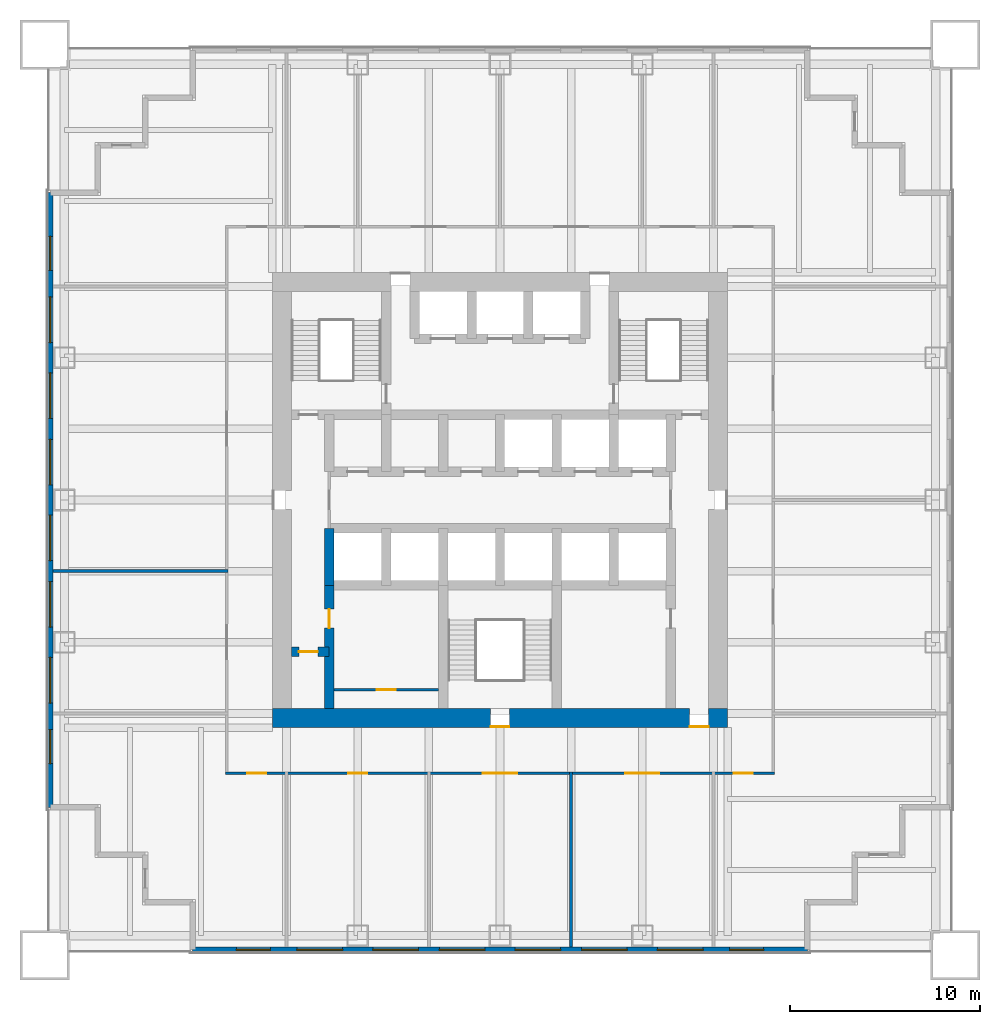
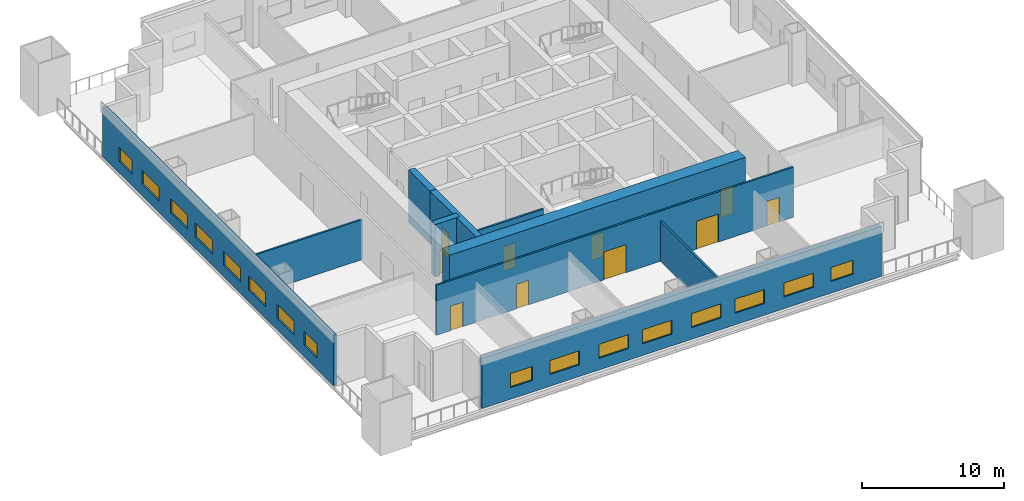
# One storey, part 2 of 6: 16 windows, 10 doors, 10 walls, 26 openings.
"""IFC4 building model written with IfcOpenShell, lengths in metres."""

from ifc_helpers import new_model, si_unit, direction, frame, frame_2d, origin, place, context, subcontext, project, spatial, rectangle, extrude, material, layer, layer_set, type_object, element, fill, save


model = new_model("IFC4")

# Units and contexts
model_context = context("Model", 3, precision=1e-05, world=origin(), true_north=direction((0.0, 1.0)))
body_context = subcontext(model_context, "Body", "Model", "MODEL_VIEW")
ifc_project = project(units=[si_unit("LENGTHUNIT", "METRE"), si_unit("AREAUNIT", "SQUARE_METRE"), si_unit("VOLUMEUNIT", "CUBIC_METRE"), si_unit("PLANEANGLEUNIT", "RADIAN"), si_unit("MASSUNIT", "GRAM", prefix="KILO")], contexts=[model_context])

# Site, building, storey
site_placement = place(None, origin())
site = spatial("IfcSite", under=ifc_project, at=site_placement, CompositionType="ELEMENT")
building_placement = place(site_placement, origin())
building = spatial("IfcBuilding", under=site, at=building_placement, Name="Tarangal Relay Tower", CompositionType="ELEMENT")
storey_placement = place(building_placement, frame((0.0, 0.0, 108.89990234375)))
storey = spatial("IfcBuildingStorey", under=building, at=storey_placement, Name="L21", CompositionType="ELEMENT", Elevation=108.89990234375)

# Wall, opening, door
ifc_material_1 = material(Name="Concrete fc' 60 MPa", Category="concrete")
ifc_layer_1 = layer(ifc_material_1, 0.5)
ifc_layer_set_1 = layer_set([ifc_layer_1], Name="Core inner wall 500")
wall_type_1 = type_object("IfcWallType", Name="Core inner wall 500", PredefinedType="SHEAR", material=ifc_layer_set_1)
wall_1_placement = place(storey_placement, frame((-11.0, -8.0, 0.0), z_axis=(0.0, 0.0, 1.0), x_axis=(1.0, 0.0, 0.0)))
wall_1 = element("IfcWall", 1, at=wall_1_placement, inside=storey, type_object=wall_type_1, Name="Core wall YM8 L21", PredefinedType="SHEAR", context=body_context, shape_type="SweptSolid", body=[
    extrude(rectangle(XDim=2.0, YDim=0.5, at=frame_2d((1.0, 0.0))), origin(), (0.0, 0.0, 1.0), 4.5),
])
opening_1_placement = place(wall_1_placement, frame((0.39990234375, 0.0, 0.0)))
opening_1 = element("IfcOpeningElement", 2, at=opening_1_placement, cuts=wall_1, Name="Opening D1", PredefinedType="OPENING", context=body_context, shape_type="SweptSolid", body=[
    extrude(rectangle(XDim=1.0, YDim=2.10009765625, at=frame_2d((0.5, 1.050048828125))), frame((0.0, 0.260009765625, 0.0), z_axis=(0.0, -1.0, 0.0), x_axis=(1.0, 0.0, 0.0)), (0.0, 0.0, 1.0), 0.52001953125),
])
ifc_material_2 = material(Name="Hardwood door", Category="wood")
door_type_1 = type_object("IfcDoorType", Name="WC door 1000 x 2100", OperationType="SINGLE_SWING_LEFT", PredefinedType="DOOR", material=ifc_material_2)
door_1_placement = place(opening_1_placement, origin())
door_1 = element("IfcDoor", 3, at=door_1_placement, inside=storey, type_object=door_type_1, Name="Accessible WC door L21", OperationType="SINGLE_SWING_LEFT", OverallHeight=2.10009765625, OverallWidth=1.0, PredefinedType="DOOR", context=body_context, shape_type="SweptSolid", body=[
    extrude(rectangle(XDim=1.0, YDim=2.10009765625, at=frame_2d((0.5, 1.050048828125))), frame((0.0, 0.02490234375, 0.0), z_axis=(0.0, -1.0, 0.0), x_axis=(1.0, 0.0, 0.0)), (0.0, 0.0, 1.0), 0.050048828125),
])
fill(opening_1, door_1)

# Wall
wall_2_placement = place(storey_placement, frame((-9.0, -4.5, 0.0), z_axis=(0.0, 0.0, 1.0), x_axis=(0.0, 1.0, 0.0)))
element("IfcWall", 4, at=wall_2_placement, inside=storey, type_object=wall_type_1, Name="Core wall XM9S L21", PredefinedType="SHEAR", context=body_context, shape_type="SweptSolid", body=[
    extrude(rectangle(XDim=3.0, YDim=0.5, at=frame_2d((1.5, 0.0))), origin(), (0.0, 0.0, 1.0), 4.5),
])

# Wall, opening, door
wall_3_placement = place(storey_placement, frame((-9.0, -11.0, 0.0), z_axis=(0.0, 0.0, 1.0), x_axis=(0.0, 1.0, 0.0)))
wall_3 = element("IfcWall", 5, at=wall_3_placement, inside=storey, type_object=wall_type_1, Name="Core wall XM9W L21", PredefinedType="SHEAR", context=body_context, shape_type="SweptSolid", body=[
    extrude(rectangle(XDim=6.5, YDim=0.5, at=frame_2d((3.25, 0.0))), origin(), (0.0, 0.0, 1.0), 4.5),
])
opening_2_placement = place(wall_3_placement, frame((4.25, 0.0, 0.0)))
opening_2 = element("IfcOpeningElement", 6, at=opening_2_placement, cuts=wall_3, Name="Opening D1", PredefinedType="OPENING", context=body_context, shape_type="SweptSolid", body=[
    extrude(rectangle(XDim=1.0, YDim=2.10009765625, at=frame_2d((0.5, 1.050048828125))), frame((0.0, 0.260009765625, 0.0), z_axis=(0.0, -1.0, 0.0), x_axis=(1.0, 0.0, 0.0)), (0.0, 0.0, 1.0), 0.52001953125),
])
door_2_placement = place(opening_2_placement, origin())
door_2 = element("IfcDoor", 7, at=door_2_placement, inside=storey, type_object=door_type_1, Name="Male WC door L21", OperationType="SINGLE_SWING_LEFT", OverallHeight=2.10009765625, OverallWidth=1.0, PredefinedType="DOOR", context=body_context, shape_type="SweptSolid", body=[
    extrude(rectangle(XDim=1.0, YDim=2.10009765625, at=frame_2d((0.5, 1.050048828125))), frame((0.0, 0.02490234375, 0.0), z_axis=(0.0, -1.0, 0.0), x_axis=(1.0, 0.0, 0.0)), (0.0, 0.0, 1.0), 0.050048828125),
])
fill(opening_2, door_2)

# Wall, openings, doors
ifc_layer_2 = layer(ifc_material_1, 1.0)
ifc_layer_set_2 = layer_set([ifc_layer_2], Name="Core wall 1000")
wall_type_2 = type_object("IfcWallType", Name="Core wall 1000", PredefinedType="SHEAR", material=ifc_layer_set_2)
wall_4_placement = place(storey_placement, frame((12.0, -11.5, 0.0), z_axis=(0.0, 0.0, 1.0), x_axis=(-1.0, 0.0, 0.0)))
wall_4 = element("IfcWall", 8, at=wall_4_placement, inside=storey, type_object=wall_type_2, Name="Core wall S L21", PredefinedType="SHEAR", context=body_context, shape_type="SweptSolid", body=[
    extrude(rectangle(XDim=24.0, YDim=1.0, at=frame_2d((12.0, 0.0))), origin(), (0.0, 0.0, 1.0), 4.5),
])
opening_3_placement = place(wall_4_placement, frame((11.5, 0.0, 0.0)))
opening_3 = element("IfcOpeningElement", 9, at=opening_3_placement, cuts=wall_4, Name="Opening FD1", PredefinedType="OPENING", context=body_context, shape_type="SweptSolid", body=[
    extrude(rectangle(XDim=1.0, YDim=2.10009765625, at=frame_2d((0.5, 1.050048828125))), frame((0.0, 0.510009765625, 0.0), z_axis=(0.0, -1.0, 0.0), x_axis=(1.0, 0.0, 0.0)), (0.0, 0.0, 1.0), 1.02001953125),
])
opening_4_placement = place(wall_4_placement, frame((1.0, 0.0, 0.0)))
opening_4 = element("IfcOpeningElement", 10, at=opening_4_placement, cuts=wall_4, Name="Opening FD3", PredefinedType="OPENING", context=body_context, shape_type="SweptSolid", body=[
    extrude(rectangle(XDim=1.0, YDim=2.39990234375, at=frame_2d((0.5, 1.199951171875))), frame((0.0, 0.510009765625, 0.0), z_axis=(0.0, -1.0, 0.0), x_axis=(1.0, 0.0, 0.0)), (0.0, 0.0, 1.0), 1.02001953125),
])
ifc_material_3 = material(Name="Steel door with hardwood frame", Category="steel")
door_type_2 = type_object("IfcDoorType", Name="Fire door 1000 x 2100", OperationType="SINGLE_SWING_LEFT", PredefinedType="DOOR", material=ifc_material_3)
door_3_placement = place(opening_3_placement, origin())
door_3 = element("IfcDoor", 11, at=door_3_placement, inside=storey, type_object=door_type_2, Name="Stair ST-C door L21", OperationType="SINGLE_SWING_LEFT", OverallHeight=2.10009765625, OverallWidth=1.0, PredefinedType="DOOR", context=body_context, shape_type="SweptSolid", body=[
    extrude(rectangle(XDim=1.0, YDim=2.10009765625, at=frame_2d((0.5, 1.050048828125))), frame((0.0, 0.48486328125, 0.0), z_axis=(0.0, -1.0, 0.0), x_axis=(1.0, 0.0, 0.0)), (0.0, 0.0, 1.0), 0.050048828125),
])
fill(opening_3, door_3)
door_type_3 = type_object("IfcDoorType", Name="Fire door 1000 x 2400 core entry", OperationType="SINGLE_SWING_RIGHT", PredefinedType="DOOR", material=ifc_material_3)
door_4_placement = place(opening_4_placement, origin())
door_4 = element("IfcDoor", 12, at=door_4_placement, inside=storey, type_object=door_type_3, Name="Core entry door south east L21", OperationType="SINGLE_SWING_RIGHT", OverallHeight=2.39990234375, OverallWidth=1.0, PredefinedType="DOOR", context=body_context, shape_type="SweptSolid", body=[
    extrude(rectangle(XDim=1.0, YDim=2.39990234375, at=frame_2d((0.5, 1.199951171875))), frame((0.0, 0.48486328125, 0.0), z_axis=(0.0, -1.0, 0.0), x_axis=(1.0, 0.0, 0.0)), (0.0, 0.0, 1.0), 0.050048828125),
])
fill(opening_4, door_4)

# Wall, openings, windows
ifc_material_4 = material(Name="Insulated precast concrete fc' 40 MPa", Category="concrete")
ifc_layer_3 = layer(ifc_material_4, 0.300048828125)
ifc_layer_set_3 = layer_set([ifc_layer_3], Name="Insulated precast concrete fc' 40 MPa")
wall_type_3 = type_object("IfcWallType", Name="Facade wall precast 300", PredefinedType="SOLIDWALL", material=ifc_layer_set_3)
wall_5_placement = place(storey_placement, frame((16.199951171875, -23.699951171875, 0.0), z_axis=(0.0, 0.0, 1.0), x_axis=(-1.0, 0.0, 0.0)))
wall_5 = element("IfcWall", 13, at=wall_5_placement, inside=storey, type_object=wall_type_3, Name="Facade wall S facade L21", PredefinedType="SOLIDWALL", context=body_context, shape_type="SweptSolid", body=[
    extrude(rectangle(XDim=32.39990234375, YDim=0.300048828125, at=frame_2d((16.199951171875, 0.0))), origin(), (0.0, 0.0, 1.0), 4.300048828125),
])
opening_5_placement = place(wall_5_placement, frame((2.300048828125, 0.0, 1.0)))
opening_5 = element("IfcOpeningElement", 14, at=opening_5_placement, cuts=wall_5, Name="Opening WN5", PredefinedType="OPENING", context=body_context, shape_type="SweptSolid", body=[
    extrude(rectangle(XDim=1.800048828125, YDim=1.199951171875, at=frame_2d((0.89990234375, 0.60009765625))), frame((0.0, 0.159912109375, 0.0), z_axis=(0.0, -1.0, 0.0), x_axis=(1.0, 0.0, 0.0)), (0.0, 0.0, 1.0), 0.320068359375),
])
opening_6_placement = place(wall_5_placement, frame((5.5, 0.0, 1.0)))
opening_6 = element("IfcOpeningElement", 15, at=opening_6_placement, cuts=wall_5, Name="Opening WN1", PredefinedType="OPENING", context=body_context, shape_type="SweptSolid", body=[
    extrude(rectangle(XDim=2.39990234375, YDim=1.199951171875, at=frame_2d((1.199951171875, 0.60009765625))), frame((0.0, 0.159912109375, 0.0), z_axis=(0.0, -1.0, 0.0), x_axis=(1.0, 0.0, 0.0)), (0.0, 0.0, 1.0), 0.320068359375),
])
opening_7_placement = place(wall_5_placement, frame((9.5, 0.0, 1.0)))
opening_7 = element("IfcOpeningElement", 16, at=opening_7_placement, cuts=wall_5, Name="Opening WN1", PredefinedType="OPENING", context=body_context, shape_type="SweptSolid", body=[
    extrude(rectangle(XDim=2.39990234375, YDim=1.199951171875, at=frame_2d((1.199951171875, 0.60009765625))), frame((0.0, 0.159912109375, 0.0), z_axis=(0.0, -1.0, 0.0), x_axis=(1.0, 0.0, 0.0)), (0.0, 0.0, 1.0), 0.320068359375),
])
opening_8_placement = place(wall_5_placement, frame((13.0, 0.0, 1.0)))
opening_8 = element("IfcOpeningElement", 17, at=opening_8_placement, cuts=wall_5, Name="Opening WN1", PredefinedType="OPENING", context=body_context, shape_type="SweptSolid", body=[
    extrude(rectangle(XDim=2.39990234375, YDim=1.199951171875, at=frame_2d((1.199951171875, 0.60009765625))), frame((0.0, 0.159912109375, 0.0), z_axis=(0.0, -1.0, 0.0), x_axis=(1.0, 0.0, 0.0)), (0.0, 0.0, 1.0), 0.320068359375),
])
opening_9_placement = place(wall_5_placement, frame((17.0, 0.0, 1.0)))
opening_9 = element("IfcOpeningElement", 18, at=opening_9_placement, cuts=wall_5, Name="Opening WN1", PredefinedType="OPENING", context=body_context, shape_type="SweptSolid", body=[
    extrude(rectangle(XDim=2.39990234375, YDim=1.199951171875, at=frame_2d((1.199951171875, 0.60009765625))), frame((0.0, 0.159912109375, 0.0), z_axis=(0.0, -1.0, 0.0), x_axis=(1.0, 0.0, 0.0)), (0.0, 0.0, 1.0), 0.320068359375),
])
opening_10_placement = place(wall_5_placement, frame((20.5, 0.0, 1.0)))
opening_10 = element("IfcOpeningElement", 19, at=opening_10_placement, cuts=wall_5, Name="Opening WN1", PredefinedType="OPENING", context=body_context, shape_type="SweptSolid", body=[
    extrude(rectangle(XDim=2.39990234375, YDim=1.199951171875, at=frame_2d((1.199951171875, 0.60009765625))), frame((0.0, 0.159912109375, 0.0), z_axis=(0.0, -1.0, 0.0), x_axis=(1.0, 0.0, 0.0)), (0.0, 0.0, 1.0), 0.320068359375),
])
opening_11_placement = place(wall_5_placement, frame((24.5, 0.0, 1.0)))
opening_11 = element("IfcOpeningElement", 20, at=opening_11_placement, cuts=wall_5, Name="Opening WN1", PredefinedType="OPENING", context=body_context, shape_type="SweptSolid", body=[
    extrude(rectangle(XDim=2.39990234375, YDim=1.199951171875, at=frame_2d((1.199951171875, 0.60009765625))), frame((0.0, 0.159912109375, 0.0), z_axis=(0.0, -1.0, 0.0), x_axis=(1.0, 0.0, 0.0)), (0.0, 0.0, 1.0), 0.320068359375),
])
opening_12_placement = place(wall_5_placement, frame((28.300048828125, 0.0, 1.0)))
opening_12 = element("IfcOpeningElement", 21, at=opening_12_placement, cuts=wall_5, Name="Opening WN5", PredefinedType="OPENING", context=body_context, shape_type="SweptSolid", body=[
    extrude(rectangle(XDim=1.800048828125, YDim=1.199951171875, at=frame_2d((0.89990234375, 0.60009765625))), frame((0.0, 0.159912109375, 0.0), z_axis=(0.0, -1.0, 0.0), x_axis=(1.0, 0.0, 0.0)), (0.0, 0.0, 1.0), 0.320068359375),
])
ifc_material_5 = material(Name="Dark tinted double glazing in black aluminium frame", Category="aluminium")
window_type_1 = type_object("IfcWindowType", Name="Ribbon window 1800 x 1200", PartitioningType="SINGLE_PANEL", PredefinedType="WINDOW", material=ifc_material_5)
window_1_placement = place(opening_5_placement, origin())
window_1 = element("IfcWindow", 22, at=window_1_placement, inside=storey, type_object=window_type_1, Name="Ribbon window WN5 S facade L21", OverallHeight=1.199951171875, OverallWidth=1.800048828125, PartitioningType="SINGLE_PANEL", PredefinedType="WINDOW", context=body_context, shape_type="SweptSolid", body=[
    extrude(rectangle(XDim=1.800048828125, YDim=1.199951171875, at=frame_2d((0.89990234375, 0.60009765625))), frame((0.0, 0.030029296875, 0.0), z_axis=(0.0, -1.0, 0.0), x_axis=(1.0, 0.0, 0.0)), (0.0, 0.0, 1.0), 0.06005859375),
])
fill(opening_5, window_1)
window_2_placement = place(opening_12_placement, origin())
window_2 = element("IfcWindow", 23, at=window_2_placement, inside=storey, type_object=window_type_1, Name="Ribbon window WN5 S facade L21", OverallHeight=1.199951171875, OverallWidth=1.800048828125, PartitioningType="SINGLE_PANEL", PredefinedType="WINDOW", context=body_context, shape_type="SweptSolid", body=[
    extrude(rectangle(XDim=1.800048828125, YDim=1.199951171875, at=frame_2d((0.89990234375, 0.60009765625))), frame((0.0, 0.030029296875, 0.0), z_axis=(0.0, -1.0, 0.0), x_axis=(1.0, 0.0, 0.0)), (0.0, 0.0, 1.0), 0.06005859375),
])
fill(opening_12, window_2)
window_type_2 = type_object("IfcWindowType", Name="Ribbon window 2400 x 1200", PartitioningType="SINGLE_PANEL", PredefinedType="WINDOW", material=ifc_material_5)
window_3_placement = place(opening_6_placement, origin())
window_3 = element("IfcWindow", 24, at=window_3_placement, inside=storey, type_object=window_type_2, Name="Ribbon window WN1 S facade L21", OverallHeight=1.199951171875, OverallWidth=2.39990234375, PartitioningType="SINGLE_PANEL", PredefinedType="WINDOW", context=body_context, shape_type="SweptSolid", body=[
    extrude(rectangle(XDim=2.39990234375, YDim=1.199951171875, at=frame_2d((1.199951171875, 0.60009765625))), frame((0.0, 0.030029296875, 0.0), z_axis=(0.0, -1.0, 0.0), x_axis=(1.0, 0.0, 0.0)), (0.0, 0.0, 1.0), 0.06005859375),
])
fill(opening_6, window_3)
window_4_placement = place(opening_7_placement, origin())
window_4 = element("IfcWindow", 25, at=window_4_placement, inside=storey, type_object=window_type_2, Name="Ribbon window WN1 S facade L21", OverallHeight=1.199951171875, OverallWidth=2.39990234375, PartitioningType="SINGLE_PANEL", PredefinedType="WINDOW", context=body_context, shape_type="SweptSolid", body=[
    extrude(rectangle(XDim=2.39990234375, YDim=1.199951171875, at=frame_2d((1.199951171875, 0.60009765625))), frame((0.0, 0.030029296875, 0.0), z_axis=(0.0, -1.0, 0.0), x_axis=(1.0, 0.0, 0.0)), (0.0, 0.0, 1.0), 0.06005859375),
])
fill(opening_7, window_4)
window_5_placement = place(opening_8_placement, origin())
window_5 = element("IfcWindow", 26, at=window_5_placement, inside=storey, type_object=window_type_2, Name="Ribbon window WN1 S facade L21", OverallHeight=1.199951171875, OverallWidth=2.39990234375, PartitioningType="SINGLE_PANEL", PredefinedType="WINDOW", context=body_context, shape_type="SweptSolid", body=[
    extrude(rectangle(XDim=2.39990234375, YDim=1.199951171875, at=frame_2d((1.199951171875, 0.60009765625))), frame((0.0, 0.030029296875, 0.0), z_axis=(0.0, -1.0, 0.0), x_axis=(1.0, 0.0, 0.0)), (0.0, 0.0, 1.0), 0.06005859375),
])
fill(opening_8, window_5)
window_6_placement = place(opening_9_placement, origin())
window_6 = element("IfcWindow", 27, at=window_6_placement, inside=storey, type_object=window_type_2, Name="Ribbon window WN1 S facade L21", OverallHeight=1.199951171875, OverallWidth=2.39990234375, PartitioningType="SINGLE_PANEL", PredefinedType="WINDOW", context=body_context, shape_type="SweptSolid", body=[
    extrude(rectangle(XDim=2.39990234375, YDim=1.199951171875, at=frame_2d((1.199951171875, 0.60009765625))), frame((0.0, 0.030029296875, 0.0), z_axis=(0.0, -1.0, 0.0), x_axis=(1.0, 0.0, 0.0)), (0.0, 0.0, 1.0), 0.06005859375),
])
fill(opening_9, window_6)
window_7_placement = place(opening_10_placement, origin())
window_7 = element("IfcWindow", 28, at=window_7_placement, inside=storey, type_object=window_type_2, Name="Ribbon window WN1 S facade L21", OverallHeight=1.199951171875, OverallWidth=2.39990234375, PartitioningType="SINGLE_PANEL", PredefinedType="WINDOW", context=body_context, shape_type="SweptSolid", body=[
    extrude(rectangle(XDim=2.39990234375, YDim=1.199951171875, at=frame_2d((1.199951171875, 0.60009765625))), frame((0.0, 0.030029296875, 0.0), z_axis=(0.0, -1.0, 0.0), x_axis=(1.0, 0.0, 0.0)), (0.0, 0.0, 1.0), 0.06005859375),
])
fill(opening_10, window_7)
window_8_placement = place(opening_11_placement, origin())
window_8 = element("IfcWindow", 29, at=window_8_placement, inside=storey, type_object=window_type_2, Name="Ribbon window WN1 S facade L21", OverallHeight=1.199951171875, OverallWidth=2.39990234375, PartitioningType="SINGLE_PANEL", PredefinedType="WINDOW", context=body_context, shape_type="SweptSolid", body=[
    extrude(rectangle(XDim=2.39990234375, YDim=1.199951171875, at=frame_2d((1.199951171875, 0.60009765625))), frame((0.0, 0.030029296875, 0.0), z_axis=(0.0, -1.0, 0.0), x_axis=(1.0, 0.0, 0.0)), (0.0, 0.0, 1.0), 0.06005859375),
])
fill(opening_11, window_8)

wall_6_placement = place(storey_placement, frame((-23.699951171875, -16.199951171875, 0.0), z_axis=(0.0, 0.0, 1.0), x_axis=(0.0, 1.0, 0.0)))
wall_6 = element("IfcWall", 30, at=wall_6_placement, inside=storey, type_object=wall_type_3, Name="Facade wall W facade L21", PredefinedType="SOLIDWALL", context=body_context, shape_type="SweptSolid", body=[
    extrude(rectangle(XDim=32.39990234375, YDim=0.300048828125, at=frame_2d((16.199951171875, 0.0))), origin(), (0.0, 0.0, 1.0), 4.300048828125),
])
opening_13_placement = place(wall_6_placement, frame((2.300048828125, 0.0, 1.0)))
opening_13 = element("IfcOpeningElement", 31, at=opening_13_placement, cuts=wall_6, Name="Opening WN5", PredefinedType="OPENING", context=body_context, shape_type="SweptSolid", body=[
    extrude(rectangle(XDim=1.800048828125, YDim=1.199951171875, at=frame_2d((0.89990234375, 0.60009765625))), frame((0.0, 0.159912109375, 0.0), z_axis=(0.0, -1.0, 0.0), x_axis=(1.0, 0.0, 0.0)), (0.0, 0.0, 1.0), 0.320068359375),
])
opening_14_placement = place(wall_6_placement, frame((5.5, 0.0, 1.0)))
opening_14 = element("IfcOpeningElement", 32, at=opening_14_placement, cuts=wall_6, Name="Opening WN1", PredefinedType="OPENING", context=body_context, shape_type="SweptSolid", body=[
    extrude(rectangle(XDim=2.39990234375, YDim=1.199951171875, at=frame_2d((1.199951171875, 0.60009765625))), frame((0.0, 0.159912109375, 0.0), z_axis=(0.0, -1.0, 0.0), x_axis=(1.0, 0.0, 0.0)), (0.0, 0.0, 1.0), 0.320068359375),
])
opening_15_placement = place(wall_6_placement, frame((9.5, 0.0, 1.0)))
opening_15 = element("IfcOpeningElement", 33, at=opening_15_placement, cuts=wall_6, Name="Opening WN1", PredefinedType="OPENING", context=body_context, shape_type="SweptSolid", body=[
    extrude(rectangle(XDim=2.39990234375, YDim=1.199951171875, at=frame_2d((1.199951171875, 0.60009765625))), frame((0.0, 0.159912109375, 0.0), z_axis=(0.0, -1.0, 0.0), x_axis=(1.0, 0.0, 0.0)), (0.0, 0.0, 1.0), 0.320068359375),
])
opening_16_placement = place(wall_6_placement, frame((13.0, 0.0, 1.0)))
opening_16 = element("IfcOpeningElement", 34, at=opening_16_placement, cuts=wall_6, Name="Opening WN1", PredefinedType="OPENING", context=body_context, shape_type="SweptSolid", body=[
    extrude(rectangle(XDim=2.39990234375, YDim=1.199951171875, at=frame_2d((1.199951171875, 0.60009765625))), frame((0.0, 0.159912109375, 0.0), z_axis=(0.0, -1.0, 0.0), x_axis=(1.0, 0.0, 0.0)), (0.0, 0.0, 1.0), 0.320068359375),
])
opening_17_placement = place(wall_6_placement, frame((17.0, 0.0, 1.0)))
opening_17 = element("IfcOpeningElement", 35, at=opening_17_placement, cuts=wall_6, Name="Opening WN1", PredefinedType="OPENING", context=body_context, shape_type="SweptSolid", body=[
    extrude(rectangle(XDim=2.39990234375, YDim=1.199951171875, at=frame_2d((1.199951171875, 0.60009765625))), frame((0.0, 0.159912109375, 0.0), z_axis=(0.0, -1.0, 0.0), x_axis=(1.0, 0.0, 0.0)), (0.0, 0.0, 1.0), 0.320068359375),
])
opening_18_placement = place(wall_6_placement, frame((20.5, 0.0, 1.0)))
opening_18 = element("IfcOpeningElement", 36, at=opening_18_placement, cuts=wall_6, Name="Opening WN1", PredefinedType="OPENING", context=body_context, shape_type="SweptSolid", body=[
    extrude(rectangle(XDim=2.39990234375, YDim=1.199951171875, at=frame_2d((1.199951171875, 0.60009765625))), frame((0.0, 0.159912109375, 0.0), z_axis=(0.0, -1.0, 0.0), x_axis=(1.0, 0.0, 0.0)), (0.0, 0.0, 1.0), 0.320068359375),
])
opening_19_placement = place(wall_6_placement, frame((24.5, 0.0, 1.0)))
opening_19 = element("IfcOpeningElement", 37, at=opening_19_placement, cuts=wall_6, Name="Opening WN1", PredefinedType="OPENING", context=body_context, shape_type="SweptSolid", body=[
    extrude(rectangle(XDim=2.39990234375, YDim=1.199951171875, at=frame_2d((1.199951171875, 0.60009765625))), frame((0.0, 0.159912109375, 0.0), z_axis=(0.0, -1.0, 0.0), x_axis=(1.0, 0.0, 0.0)), (0.0, 0.0, 1.0), 0.320068359375),
])
opening_20_placement = place(wall_6_placement, frame((28.300048828125, 0.0, 1.0)))
opening_20 = element("IfcOpeningElement", 38, at=opening_20_placement, cuts=wall_6, Name="Opening WN5", PredefinedType="OPENING", context=body_context, shape_type="SweptSolid", body=[
    extrude(rectangle(XDim=1.800048828125, YDim=1.199951171875, at=frame_2d((0.89990234375, 0.60009765625))), frame((0.0, 0.159912109375, 0.0), z_axis=(0.0, -1.0, 0.0), x_axis=(1.0, 0.0, 0.0)), (0.0, 0.0, 1.0), 0.320068359375),
])
window_9_placement = place(opening_13_placement, origin())
window_9 = element("IfcWindow", 39, at=window_9_placement, inside=storey, type_object=window_type_1, Name="Ribbon window WN5 W facade L21", OverallHeight=1.199951171875, OverallWidth=1.800048828125, PartitioningType="SINGLE_PANEL", PredefinedType="WINDOW", context=body_context, shape_type="SweptSolid", body=[
    extrude(rectangle(XDim=1.800048828125, YDim=1.199951171875, at=frame_2d((0.89990234375, 0.60009765625))), frame((0.0, 0.030029296875, 0.0), z_axis=(0.0, -1.0, 0.0), x_axis=(1.0, 0.0, 0.0)), (0.0, 0.0, 1.0), 0.06005859375),
])
fill(opening_13, window_9)
window_10_placement = place(opening_20_placement, origin())
window_10 = element("IfcWindow", 40, at=window_10_placement, inside=storey, type_object=window_type_1, Name="Ribbon window WN5 W facade L21", OverallHeight=1.199951171875, OverallWidth=1.800048828125, PartitioningType="SINGLE_PANEL", PredefinedType="WINDOW", context=body_context, shape_type="SweptSolid", body=[
    extrude(rectangle(XDim=1.800048828125, YDim=1.199951171875, at=frame_2d((0.89990234375, 0.60009765625))), frame((0.0, 0.030029296875, 0.0), z_axis=(0.0, -1.0, 0.0), x_axis=(1.0, 0.0, 0.0)), (0.0, 0.0, 1.0), 0.06005859375),
])
fill(opening_20, window_10)
window_11_placement = place(opening_14_placement, origin())
window_11 = element("IfcWindow", 41, at=window_11_placement, inside=storey, type_object=window_type_2, Name="Ribbon window WN1 W facade L21", OverallHeight=1.199951171875, OverallWidth=2.39990234375, PartitioningType="SINGLE_PANEL", PredefinedType="WINDOW", context=body_context, shape_type="SweptSolid", body=[
    extrude(rectangle(XDim=2.39990234375, YDim=1.199951171875, at=frame_2d((1.199951171875, 0.60009765625))), frame((0.0, 0.030029296875, 0.0), z_axis=(0.0, -1.0, 0.0), x_axis=(1.0, 0.0, 0.0)), (0.0, 0.0, 1.0), 0.06005859375),
])
fill(opening_14, window_11)
window_12_placement = place(opening_15_placement, origin())
window_12 = element("IfcWindow", 42, at=window_12_placement, inside=storey, type_object=window_type_2, Name="Ribbon window WN1 W facade L21", OverallHeight=1.199951171875, OverallWidth=2.39990234375, PartitioningType="SINGLE_PANEL", PredefinedType="WINDOW", context=body_context, shape_type="SweptSolid", body=[
    extrude(rectangle(XDim=2.39990234375, YDim=1.199951171875, at=frame_2d((1.199951171875, 0.60009765625))), frame((0.0, 0.030029296875, 0.0), z_axis=(0.0, -1.0, 0.0), x_axis=(1.0, 0.0, 0.0)), (0.0, 0.0, 1.0), 0.06005859375),
])
fill(opening_15, window_12)
window_13_placement = place(opening_16_placement, origin())
window_13 = element("IfcWindow", 43, at=window_13_placement, inside=storey, type_object=window_type_2, Name="Ribbon window WN1 W facade L21", OverallHeight=1.199951171875, OverallWidth=2.39990234375, PartitioningType="SINGLE_PANEL", PredefinedType="WINDOW", context=body_context, shape_type="SweptSolid", body=[
    extrude(rectangle(XDim=2.39990234375, YDim=1.199951171875, at=frame_2d((1.199951171875, 0.60009765625))), frame((0.0, 0.030029296875, 0.0), z_axis=(0.0, -1.0, 0.0), x_axis=(1.0, 0.0, 0.0)), (0.0, 0.0, 1.0), 0.06005859375),
])
fill(opening_16, window_13)
window_14_placement = place(opening_17_placement, origin())
window_14 = element("IfcWindow", 44, at=window_14_placement, inside=storey, type_object=window_type_2, Name="Ribbon window WN1 W facade L21", OverallHeight=1.199951171875, OverallWidth=2.39990234375, PartitioningType="SINGLE_PANEL", PredefinedType="WINDOW", context=body_context, shape_type="SweptSolid", body=[
    extrude(rectangle(XDim=2.39990234375, YDim=1.199951171875, at=frame_2d((1.199951171875, 0.60009765625))), frame((0.0, 0.030029296875, 0.0), z_axis=(0.0, -1.0, 0.0), x_axis=(1.0, 0.0, 0.0)), (0.0, 0.0, 1.0), 0.06005859375),
])
fill(opening_17, window_14)
window_15_placement = place(opening_18_placement, origin())
window_15 = element("IfcWindow", 45, at=window_15_placement, inside=storey, type_object=window_type_2, Name="Ribbon window WN1 W facade L21", OverallHeight=1.199951171875, OverallWidth=2.39990234375, PartitioningType="SINGLE_PANEL", PredefinedType="WINDOW", context=body_context, shape_type="SweptSolid", body=[
    extrude(rectangle(XDim=2.39990234375, YDim=1.199951171875, at=frame_2d((1.199951171875, 0.60009765625))), frame((0.0, 0.030029296875, 0.0), z_axis=(0.0, -1.0, 0.0), x_axis=(1.0, 0.0, 0.0)), (0.0, 0.0, 1.0), 0.06005859375),
])
fill(opening_18, window_15)
window_16_placement = place(opening_19_placement, origin())
window_16 = element("IfcWindow", 46, at=window_16_placement, inside=storey, type_object=window_type_2, Name="Ribbon window WN1 W facade L21", OverallHeight=1.199951171875, OverallWidth=2.39990234375, PartitioningType="SINGLE_PANEL", PredefinedType="WINDOW", context=body_context, shape_type="SweptSolid", body=[
    extrude(rectangle(XDim=2.39990234375, YDim=1.199951171875, at=frame_2d((1.199951171875, 0.60009765625))), frame((0.0, 0.030029296875, 0.0), z_axis=(0.0, -1.0, 0.0), x_axis=(1.0, 0.0, 0.0)), (0.0, 0.0, 1.0), 0.06005859375),
])
fill(opening_19, window_16)

# Wall, openings, doors
ifc_material_6 = material(Name="Gypsum board on steel studs", Category="steel")
ifc_layer_4 = layer(ifc_material_6, 0.14990234375)
ifc_layer_set_4 = layer_set([ifc_layer_4], Name="Partition 150")
wall_type_4 = type_object("IfcWallType", Name="Partition 150", PredefinedType="PARTITIONING", material=ifc_layer_set_4)
wall_7_placement = place(storey_placement, frame((-14.47509765625, -14.39990234375, 0.0), z_axis=(0.0, 0.0, 1.0), x_axis=(1.0, 0.0, 0.0)))
wall_7 = element("IfcWall", 47, at=wall_7_placement, inside=storey, type_object=wall_type_4, Name="Partition PT1 L21", PredefinedType="PARTITIONING", context=body_context, shape_type="SweptSolid", body=[
    extrude(rectangle(XDim=28.9501953125, YDim=0.14990234375, at=frame_2d((14.47509765625, 0.0))), origin(), (0.0, 0.0, 1.0), 4.300048828125),
])
opening_21_placement = place(wall_7_placement, frame((21.074951171875, 0.0, 0.0)))
opening_21 = element("IfcOpeningElement", 48, at=opening_21_placement, cuts=wall_7, Name="Opening DD1", PredefinedType="OPENING", context=body_context, shape_type="SweptSolid", body=[
    extrude(rectangle(XDim=1.800048828125, YDim=2.39990234375, at=frame_2d((0.89990234375, 1.199951171875))), frame((0.0, 0.0849609375, 0.0), z_axis=(0.0, -1.0, 0.0), x_axis=(1.0, 0.0, 0.0)), (0.0, 0.0, 1.0), 0.169921875),
])
opening_22_placement = place(wall_7_placement, frame((13.574951171875, 0.0, 0.0)))
opening_22 = element("IfcOpeningElement", 49, at=opening_22_placement, cuts=wall_7, Name="Opening DD1", PredefinedType="OPENING", context=body_context, shape_type="SweptSolid", body=[
    extrude(rectangle(XDim=1.800048828125, YDim=2.39990234375, at=frame_2d((0.89990234375, 1.199951171875))), frame((0.0, 0.0849609375, 0.0), z_axis=(0.0, -1.0, 0.0), x_axis=(1.0, 0.0, 0.0)), (0.0, 0.0, 1.0), 0.169921875),
])
opening_23_placement = place(wall_7_placement, frame((6.47509765625, 0.0, 0.0)))
opening_23 = element("IfcOpeningElement", 50, at=opening_23_placement, cuts=wall_7, Name="Opening D2", PredefinedType="OPENING", context=body_context, shape_type="SweptSolid", body=[
    extrude(rectangle(XDim=1.0, YDim=2.10009765625, at=frame_2d((0.5, 1.050048828125))), frame((0.0, 0.0849609375, 0.0), z_axis=(0.0, -1.0, 0.0), x_axis=(1.0, 0.0, 0.0)), (0.0, 0.0, 1.0), 0.169921875),
])
opening_24_placement = place(wall_7_placement, frame((26.800048828125, 0.0, 0.0)))
opening_24 = element("IfcOpeningElement", 51, at=opening_24_placement, cuts=wall_7, Name="Opening D2", PredefinedType="OPENING", context=body_context, shape_type="SweptSolid", body=[
    extrude(rectangle(XDim=1.0, YDim=2.10009765625, at=frame_2d((0.5, 1.050048828125))), frame((0.0, 0.0849609375, 0.0), z_axis=(0.0, -1.0, 0.0), x_axis=(1.0, 0.0, 0.0)), (0.0, 0.0, 1.0), 0.169921875),
])
opening_25_placement = place(wall_7_placement, frame((1.14990234375, 0.0, 0.0)))
opening_25 = element("IfcOpeningElement", 52, at=opening_25_placement, cuts=wall_7, Name="Opening D2", PredefinedType="OPENING", context=body_context, shape_type="SweptSolid", body=[
    extrude(rectangle(XDim=1.0, YDim=2.10009765625, at=frame_2d((0.5, 1.050048828125))), frame((0.0, 0.0849609375, 0.0), z_axis=(0.0, -1.0, 0.0), x_axis=(1.0, 0.0, 0.0)), (0.0, 0.0, 1.0), 0.169921875),
])
door_type_4 = type_object("IfcDoorType", Name="Door 1000 x 2100", OperationType="SINGLE_SWING_LEFT", PredefinedType="DOOR", material=ifc_material_2)
door_5_placement = place(opening_23_placement, origin())
door_5 = element("IfcDoor", 53, at=door_5_placement, inside=storey, type_object=door_type_4, Name="Door D2 to carrier staff office L21-10", OperationType="SINGLE_SWING_LEFT", OverallHeight=2.10009765625, OverallWidth=1.0, PredefinedType="DOOR", context=body_context, shape_type="SweptSolid", body=[
    extrude(rectangle(XDim=1.0, YDim=2.10009765625, at=frame_2d((0.5, 1.050048828125))), frame((0.0, 0.02490234375, 0.0), z_axis=(0.0, -1.0, 0.0), x_axis=(1.0, 0.0, 0.0)), (0.0, 0.0, 1.0), 0.050048828125),
])
fill(opening_23, door_5)
door_6_placement = place(opening_24_placement, origin())
door_6 = element("IfcDoor", 54, at=door_6_placement, inside=storey, type_object=door_type_4, Name="Door D2 to test lab L21-14", OperationType="SINGLE_SWING_LEFT", OverallHeight=2.10009765625, OverallWidth=1.0, PredefinedType="DOOR", context=body_context, shape_type="SweptSolid", body=[
    extrude(rectangle(XDim=1.0, YDim=2.10009765625, at=frame_2d((0.5, 1.050048828125))), frame((0.0, 0.02490234375, 0.0), z_axis=(0.0, -1.0, 0.0), x_axis=(1.0, 0.0, 0.0)), (0.0, 0.0, 1.0), 0.050048828125),
])
fill(opening_24, door_6)
door_7_placement = place(opening_25_placement, origin())
door_7 = element("IfcDoor", 55, at=door_7_placement, inside=storey, type_object=door_type_4, Name="Door D2 to maintenance workshop L21-15", OperationType="SINGLE_SWING_LEFT", OverallHeight=2.10009765625, OverallWidth=1.0, PredefinedType="DOOR", context=body_context, shape_type="SweptSolid", body=[
    extrude(rectangle(XDim=1.0, YDim=2.10009765625, at=frame_2d((0.5, 1.050048828125))), frame((0.0, 0.02490234375, 0.0), z_axis=(0.0, -1.0, 0.0), x_axis=(1.0, 0.0, 0.0)), (0.0, 0.0, 1.0), 0.050048828125),
])
fill(opening_25, door_7)
door_type_5 = type_object("IfcDoorType", Name="Equipment double door 1800 x 2400", OperationType="DOUBLE_DOOR_SINGLE_SWING", PredefinedType="DOOR", material=ifc_material_3)
door_8_placement = place(opening_21_placement, origin())
door_8 = element("IfcDoor", 56, at=door_8_placement, inside=storey, type_object=door_type_5, Name="Door DD1 to rectifier and battery room L21-08", OperationType="DOUBLE_DOOR_SINGLE_SWING", OverallHeight=2.39990234375, OverallWidth=1.800048828125, PredefinedType="DOOR", context=body_context, shape_type="SweptSolid", body=[
    extrude(rectangle(XDim=1.800048828125, YDim=2.39990234375, at=frame_2d((0.89990234375, 1.199951171875))), frame((0.0, 0.02490234375, 0.0), z_axis=(0.0, -1.0, 0.0), x_axis=(1.0, 0.0, 0.0)), (0.0, 0.0, 1.0), 0.050048828125),
])
fill(opening_21, door_8)
door_9_placement = place(opening_22_placement, origin())
door_9 = element("IfcDoor", 57, at=door_9_placement, inside=storey, type_object=door_type_5, Name="Door DD1 to electrical room L21-09", OperationType="DOUBLE_DOOR_SINGLE_SWING", OverallHeight=2.39990234375, OverallWidth=1.800048828125, PredefinedType="DOOR", context=body_context, shape_type="SweptSolid", body=[
    extrude(rectangle(XDim=1.800048828125, YDim=2.39990234375, at=frame_2d((0.89990234375, 1.199951171875))), frame((0.0, 0.02490234375, 0.0), z_axis=(0.0, -1.0, 0.0), x_axis=(1.0, 0.0, 0.0)), (0.0, 0.0, 1.0), 0.050048828125),
])
fill(opening_22, door_9)

# Walls
for number, where, z_axis, x_axis, name in (
    (58, (-23.550048828125, -3.75, 0.0), (0.0, 0.0, 1.0), (1.0, 0.0, 0.0), "Partition PT1 L21"),
    (59, (3.75, -23.550048828125, 0.0), (0.0, 0.0, 1.0), (0.0, 1.0, 0.0), "Partition PT1 L21"),
):
    element("IfcWall", number, at=place(storey_placement, frame(where, z_axis=z_axis, x_axis=x_axis)), inside=storey, type_object=wall_type_4, Name=name, PredefinedType="PARTITIONING", context=body_context, shape_type="SweptSolid", body=[
        extrude(rectangle(XDim=9.22509765625, YDim=0.14990234375, at=frame_2d((4.612548828125, 0.0))), origin(), (0.0, 0.0, 1.0), 3.431396484375),
    ])

# Wall, opening, door
wall_8_placement = place(storey_placement, frame((-8.75, -10.0, 0.0), z_axis=(0.0, 0.0, 1.0), x_axis=(1.0, 0.0, 0.0)))
wall_8 = element("IfcWall", 60, at=wall_8_placement, inside=storey, type_object=wall_type_4, Name="Partition PT1 L21", PredefinedType="PARTITIONING", context=body_context, shape_type="SweptSolid", body=[
    extrude(rectangle(XDim=5.5, YDim=0.14990234375, at=frame_2d((2.75, 0.0))), origin(), (0.0, 0.0, 1.0), 4.25),
])
opening_26_placement = place(wall_8_placement, frame((2.25, 0.0, 0.0)))
opening_26 = element("IfcOpeningElement", 61, at=opening_26_placement, cuts=wall_8, Name="Opening D1", PredefinedType="OPENING", context=body_context, shape_type="SweptSolid", body=[
    extrude(rectangle(XDim=1.0, YDim=2.10009765625, at=frame_2d((0.5, 1.050048828125))), frame((0.0, 0.0849609375, 0.0), z_axis=(0.0, -1.0, 0.0), x_axis=(1.0, 0.0, 0.0)), (0.0, 0.0, 1.0), 0.169921875),
])
door_10_placement = place(opening_26_placement, origin())
door_10 = element("IfcDoor", 62, at=door_10_placement, inside=storey, type_object=door_type_1, Name="Door D1 to male shower room L21-C7B", OperationType="SINGLE_SWING_LEFT", OverallHeight=2.10009765625, OverallWidth=1.0, PredefinedType="DOOR", context=body_context, shape_type="SweptSolid", body=[
    extrude(rectangle(XDim=1.0, YDim=2.10009765625, at=frame_2d((0.5, 1.050048828125))), frame((0.0, 0.02490234375, 0.0), z_axis=(0.0, -1.0, 0.0), x_axis=(1.0, 0.0, 0.0)), (0.0, 0.0, 1.0), 0.050048828125),
])
fill(opening_26, door_10)

save(model, "model.ifc")
